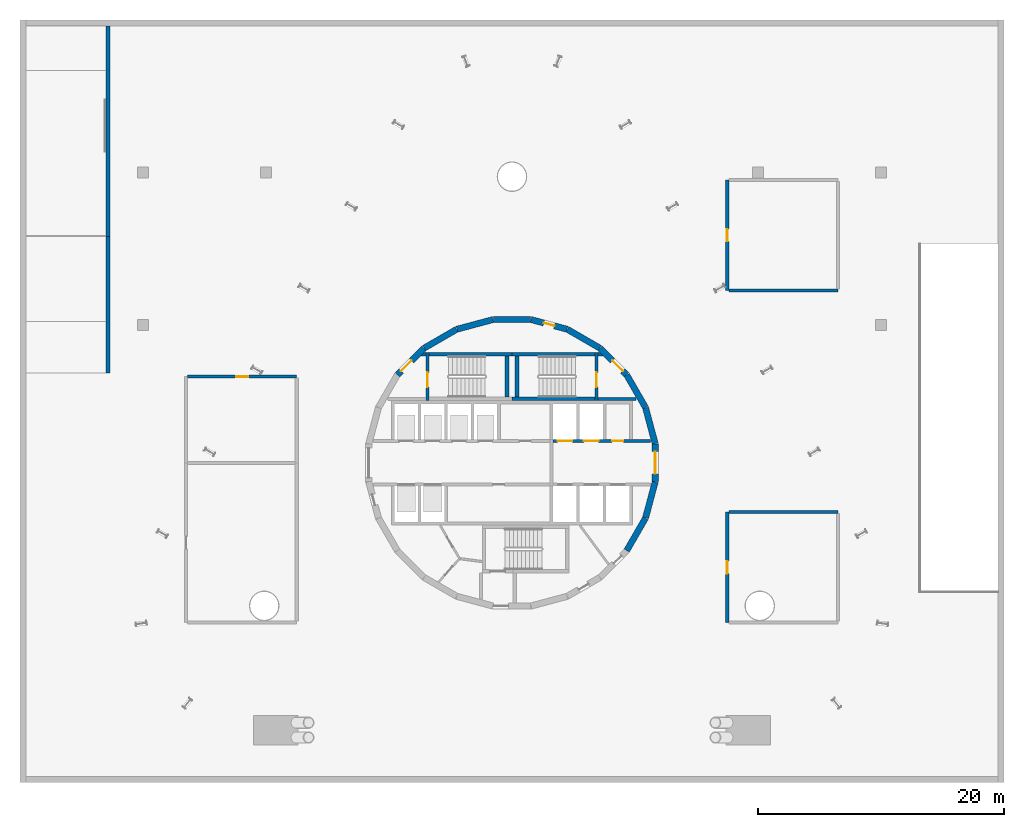
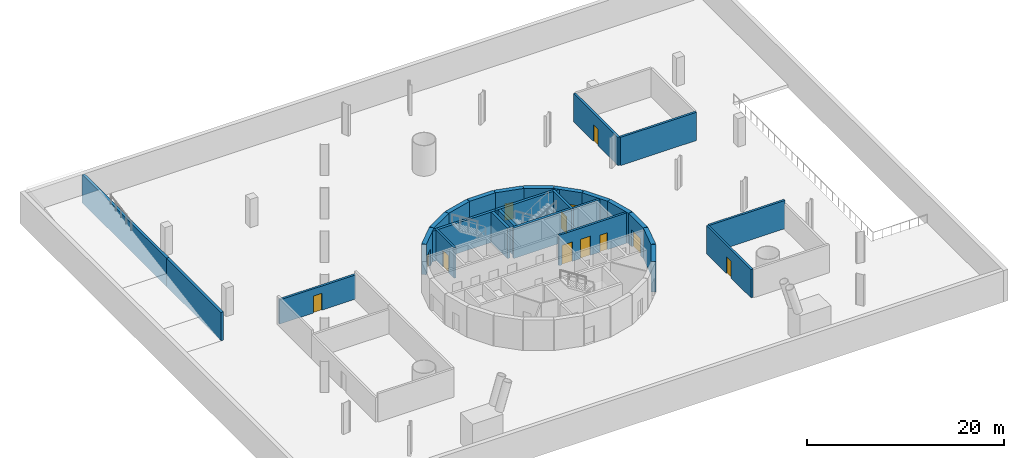
# One storey, part 7 of 10: 30 walls, 12 doors, 12 openings.
"""IFC4 building model written with IfcOpenShell, lengths in metres."""

from ifc_helpers import new_model, si_unit, direction, frame, frame_2d, origin, place, context, subcontext, project, spatial, polyline, rectangle, outline, extrude, material, layer, layer_set, type_object, element, fill, save


model = new_model("IFC4")

# Units and contexts
model_context = context("Model", 3, precision=1e-05, world=origin(), true_north=direction((0.0, 1.0)))
body_context = subcontext(model_context, "Body", "Model", "MODEL_VIEW")
ifc_project = project(units=[si_unit("LENGTHUNIT", "METRE"), si_unit("AREAUNIT", "SQUARE_METRE"), si_unit("VOLUMEUNIT", "CUBIC_METRE"), si_unit("PLANEANGLEUNIT", "RADIAN"), si_unit("MASSUNIT", "GRAM", prefix="KILO")], contexts=[model_context])

# Site, building, storey
site_placement = place(None, origin())
site = spatial("IfcSite", under=ifc_project, at=site_placement, CompositionType="ELEMENT")
building_placement = place(site_placement, origin())
building = spatial("IfcBuilding", under=site, at=building_placement, Name="Spindle Arch Residences", CompositionType="ELEMENT")
storey_placement = place(building_placement, frame((0.0, 0.0, -4.199951171875)))
storey = spatial("IfcBuildingStorey", under=building, at=storey_placement, Name="B1", CompositionType="ELEMENT", Elevation=-4.199951171875)

# Walls
ifc_material_1 = material(Name="Concrete C50/60", Category="concrete")
ifc_layer_1 = layer(ifc_material_1, 0.5)
ifc_layer_set_1 = layer_set([ifc_layer_1], Name="Core outline wall 500")
wall_type_1 = type_object("IfcWallType", Name="Core outline wall 500", PredefinedType="SHEAR", material=ifc_layer_set_1)
for number, where, z_axis, x_axis, name in (
    (1, (9.32861328125, -7.13671875, 0.0), (0.0, 0.0, 1.0), (0.500087131594, 0.865975092491, 0.0), "Core outline wall 4"),
    (2, (10.858154296875, -4.479248046875, 0.0), (0.0, 0.0, 1.0), (0.258734743916, 0.965948410781, 0.0), "Core outline wall 5"),
):
    element("IfcWall", number, at=place(storey_placement, frame(where, z_axis=z_axis, x_axis=x_axis)), inside=storey, type_object=wall_type_1, Name=name, PredefinedType="SHEAR", context=body_context, shape_type="SweptSolid", body=[
        extrude(rectangle(XDim=3.03271484375, YDim=0.5, at=frame_2d((1.516357421875, 0.0))), origin(), (0.0, 0.0, 1.0), 3.780029296875),
    ])

# Wall, opening, door
wall_1_placement = place(storey_placement, frame((11.647216796875, -1.516357421875, 0.0), z_axis=(0.0, 0.0, 1.0), x_axis=(0.0, 1.0, 0.0)))
wall_1 = element("IfcWall", 3, at=wall_1_placement, inside=storey, type_object=wall_type_1, Name="Core outline wall 6", PredefinedType="SHEAR", context=body_context, shape_type="SweptSolid", body=[
    extrude(rectangle(XDim=3.03271484375, YDim=0.5, at=frame_2d((1.516357421875, 0.0))), origin(), (0.0, 0.0, 1.0), 3.780029296875),
])
opening_1_placement = place(wall_1_placement, frame((0.6162109375, 0.0, 0.0)))
opening_1 = element("IfcOpeningElement", 4, at=opening_1_placement, cuts=wall_1, Name="Opening B1-FE01", PredefinedType="OPENING", context=body_context, shape_type="SweptSolid", body=[
    extrude(rectangle(XDim=1.800048828125, YDim=2.10009765625, at=frame_2d((0.89990234375, 1.050048828125))), frame((0.0, 0.260009765625, 0.0), z_axis=(0.0, -1.0, 0.0), x_axis=(1.0, 0.0, 0.0)), (0.0, 0.0, 1.0), 0.52001953125),
])
ifc_material_2 = material(Name="Steel, fire-resisting door", Category="steel")
door_type_1 = type_object("IfcDoorType", Name="Fire-lift lobby door 1800x2100", OperationType="DOUBLE_DOOR_SINGLE_SWING", PredefinedType="DOOR", material=ifc_material_2)
door_1_placement = place(opening_1_placement, origin())
door_1 = element("IfcDoor", 5, at=door_1_placement, inside=storey, type_object=door_type_1, Name="Fire-lift lobby door B1-FE01", OperationType="DOUBLE_DOOR_SINGLE_SWING", OverallHeight=2.10009765625, OverallWidth=1.800048828125, PredefinedType="DOOR", context=body_context, shape_type="SweptSolid", body=[
    extrude(rectangle(XDim=1.800048828125, YDim=2.10009765625, at=frame_2d((0.89990234375, 1.050048828125))), frame((0.0, 0.02490234375, 0.0), z_axis=(0.0, -1.0, 0.0), x_axis=(1.0, 0.0, 0.0)), (0.0, 0.0, 1.0), 0.050048828125),
])
fill(opening_1, door_1)

# Walls
for number, where, z_axis, x_axis, name in (
    (6, (11.642822265625, 1.5498046875, 0.0), (0.0, 0.0, 1.0), (-0.258734743916, 0.965948410781, 0.0), "Core outline wall 7"),
    (7, (10.84521484375, 4.510498046875, 0.0), (0.0, 0.0, 1.0), (-0.500087131594, 0.865975092491, 0.0), "Core outline wall 8"),
):
    element("IfcWall", number, at=place(storey_placement, frame(where, z_axis=z_axis, x_axis=x_axis)), inside=storey, type_object=wall_type_1, Name=name, PredefinedType="SHEAR", context=body_context, shape_type="SweptSolid", body=[
        extrude(rectangle(XDim=3.03271484375, YDim=0.5, at=frame_2d((1.516357421875, 0.0))), origin(), (0.0, 0.0, 1.0), 3.780029296875),
    ])

# Wall, opening, door
wall_2_placement = place(storey_placement, frame((9.30810546875, 7.163818359375, 0.0), z_axis=(0.0, 0.0, 1.0), x_axis=(-0.707106781187, 0.707106781187, 0.0)))
wall_2 = element("IfcWall", 8, at=wall_2_placement, inside=storey, type_object=wall_type_1, Name="Core outline wall 9", PredefinedType="SHEAR", context=body_context, shape_type="SweptSolid", body=[
    extrude(rectangle(XDim=3.032470703125, YDim=0.5, at=frame_2d((1.51611328125, 0.0))), origin(), (0.0, 0.0, 1.0), 3.780029296875),
])
opening_2_placement = place(wall_2_placement, frame((0.416259765625, 0.0, 0.0)))
opening_2 = element("IfcOpeningElement", 9, at=opening_2_placement, cuts=wall_2, Name="Opening B1-AD01", PredefinedType="OPENING", context=body_context, shape_type="SweptSolid", body=[
    extrude(rectangle(XDim=1.199951171875, YDim=2.10009765625, at=frame_2d((0.60009765625, 1.050048828125))), frame((0.0, 0.260009765625, 0.0), z_axis=(0.0, -1.0, 0.0), x_axis=(1.0, 0.0, 0.0)), (0.0, 0.0, 1.0), 0.52001953125),
])
ifc_material_3 = material(Name="Steel, fire-resisting door", Category="steel")
door_type_2 = type_object("IfcDoorType", Name="Stair airlock door 1200x2100", OperationType="SINGLE_SWING_LEFT", PredefinedType="DOOR", material=ifc_material_3)
door_2_placement = place(opening_2_placement, origin())
door_2 = element("IfcDoor", 10, at=door_2_placement, inside=storey, type_object=door_type_2, Name="Stair airlock door B1-AD01", OperationType="SINGLE_SWING_RIGHT", OverallHeight=2.10009765625, OverallWidth=1.199951171875, PredefinedType="DOOR", context=body_context, shape_type="SweptSolid", body=[
    extrude(rectangle(XDim=1.199951171875, YDim=2.10009765625, at=frame_2d((0.60009765625, 1.050048828125))), frame((0.0, 0.02490234375, 0.0), z_axis=(0.0, -1.0, 0.0), x_axis=(1.0, 0.0, 0.0)), (0.0, 0.0, 1.0), 0.050048828125),
])
fill(opening_2, door_2)

# Wall
wall_3_placement = place(storey_placement, frame((7.13671875, 9.32861328125, 0.0), z_axis=(0.0, 0.0, 1.0), x_axis=(-0.865975092491, 0.500087131594, 0.0)))
element("IfcWall", 11, at=wall_3_placement, inside=storey, type_object=wall_type_1, Name="Core outline wall 10", PredefinedType="SHEAR", context=body_context, shape_type="SweptSolid", body=[
    extrude(rectangle(XDim=3.03271484375, YDim=0.5, at=frame_2d((1.516357421875, 0.0))), origin(), (0.0, 0.0, 1.0), 3.780029296875),
])

# Wall, opening, door
wall_4_placement = place(storey_placement, frame((4.479248046875, 10.858154296875, 0.0), z_axis=(0.0, 0.0, 1.0), x_axis=(-0.965948410781, 0.258734743916, 0.0)))
wall_4 = element("IfcWall", 12, at=wall_4_placement, inside=storey, type_object=wall_type_1, Name="Core outline wall 11", PredefinedType="SHEAR", context=body_context, shape_type="SweptSolid", body=[
    extrude(rectangle(XDim=3.03271484375, YDim=0.5, at=frame_2d((1.516357421875, 0.0))), origin(), (0.0, 0.0, 1.0), 3.780029296875),
])
opening_3_placement = place(wall_4_placement, frame((1.066162109375, 0.0, 0.0)))
opening_3 = element("IfcOpeningElement", 13, at=opening_3_placement, cuts=wall_4, Name="Opening B1-WD09", PredefinedType="OPENING", context=body_context, shape_type="SweptSolid", body=[
    extrude(rectangle(XDim=0.89990234375, YDim=2.10009765625, at=frame_2d((0.449951171875, 1.050048828125))), frame((0.0, 0.260009765625, 0.0), z_axis=(0.0, -1.0, 0.0), x_axis=(1.0, 0.0, 0.0)), (0.0, 0.0, 1.0), 0.52001953125),
])
ifc_material_4 = material(Name="Steel, fire-resisting door", Category="steel")
door_type_3 = type_object("IfcDoorType", Name="Service room door 900x2100", OperationType="SINGLE_SWING_LEFT", PredefinedType="DOOR", material=ifc_material_4)
door_3_placement = place(opening_3_placement, origin())
door_3 = element("IfcDoor", 14, at=door_3_placement, inside=storey, type_object=door_type_3, Name="Service room door B1-WD09", OperationType="SINGLE_SWING_RIGHT", OverallHeight=2.10009765625, OverallWidth=0.89990234375, PredefinedType="DOOR", context=body_context, shape_type="SweptSolid", body=[
    extrude(rectangle(XDim=0.89990234375, YDim=2.10009765625, at=frame_2d((0.449951171875, 1.050048828125))), frame((0.0, 0.02490234375, 0.0), z_axis=(0.0, -1.0, 0.0), x_axis=(1.0, 0.0, 0.0)), (0.0, 0.0, 1.0), 0.050048828125),
])
fill(opening_3, door_3)

# Walls
for number, where, z_axis, x_axis, name in (
    (15, (1.516357421875, 11.647216796875, 0.0), (0.0, 0.0, 1.0), (-1.0, 0.0, 0.0), "Core outline wall 12"),
    (16, (-1.5498046875, 11.642822265625, 0.0), (0.0, 0.0, 1.0), (-0.965948410781, -0.258734743916, 0.0), "Core outline wall 13"),
    (17, (-4.510498046875, 10.84521484375, 0.0), (0.0, 0.0, 1.0), (-0.865975092491, -0.500087131594, 0.0), "Core outline wall 14"),
):
    element("IfcWall", number, at=place(storey_placement, frame(where, z_axis=z_axis, x_axis=x_axis)), inside=storey, type_object=wall_type_1, Name=name, PredefinedType="SHEAR", context=body_context, shape_type="SweptSolid", body=[
        extrude(rectangle(XDim=3.03271484375, YDim=0.5, at=frame_2d((1.516357421875, 0.0))), origin(), (0.0, 0.0, 1.0), 3.780029296875),
    ])

# Wall, opening, door
wall_5_placement = place(storey_placement, frame((-7.163818359375, 9.30810546875, 0.0), z_axis=(0.0, 0.0, 1.0), x_axis=(-0.707106781187, -0.707106781187, 0.0)))
wall_5 = element("IfcWall", 18, at=wall_5_placement, inside=storey, type_object=wall_type_1, Name="Core outline wall 15", PredefinedType="SHEAR", context=body_context, shape_type="SweptSolid", body=[
    extrude(rectangle(XDim=3.032470703125, YDim=0.5, at=frame_2d((1.51611328125, 0.0))), origin(), (0.0, 0.0, 1.0), 3.780029296875),
])
opening_4_placement = place(wall_5_placement, frame((1.416259765625, 0.0, 0.0)))
opening_4 = element("IfcOpeningElement", 19, at=opening_4_placement, cuts=wall_5, Name="Opening B1-AD02", PredefinedType="OPENING", context=body_context, shape_type="SweptSolid", body=[
    extrude(rectangle(XDim=1.199951171875, YDim=2.10009765625, at=frame_2d((0.60009765625, 1.050048828125))), frame((0.0, 0.260009765625, 0.0), z_axis=(0.0, -1.0, 0.0), x_axis=(1.0, 0.0, 0.0)), (0.0, 0.0, 1.0), 0.52001953125),
])
door_4_placement = place(opening_4_placement, origin())
door_4 = element("IfcDoor", 20, at=door_4_placement, inside=storey, type_object=door_type_2, Name="Stair airlock door B1-AD02", OperationType="SINGLE_SWING_RIGHT", OverallHeight=2.10009765625, OverallWidth=1.199951171875, PredefinedType="DOOR", context=body_context, shape_type="SweptSolid", body=[
    extrude(rectangle(XDim=1.199951171875, YDim=2.10009765625, at=frame_2d((0.60009765625, 1.050048828125))), frame((0.0, 0.02490234375, 0.0), z_axis=(0.0, -1.0, 0.0), x_axis=(1.0, 0.0, 0.0)), (0.0, 0.0, 1.0), 0.050048828125),
])
fill(opening_4, door_4)

# Wall, openings, doors
ifc_material_5 = material(Name="Concrete C40/50", Category="concrete")
ifc_layer_2 = layer(ifc_material_5, 0.25)
ifc_layer_set_2 = layer_set([ifc_layer_2], Name="Fire-lift lobby wall 250")
wall_type_2 = type_object("IfcWallType", Name="Fire-lift lobby wall 250", PredefinedType="SHEAR", material=ifc_layer_set_2)
wall_6_placement = place(storey_placement, frame((3.35009765625, 1.77490234375, 0.0), z_axis=(0.0, 0.0, 1.0), x_axis=(1.0, 0.0, 0.0)))
wall_6 = element("IfcWall", 21, at=wall_6_placement, inside=storey, type_object=wall_type_2, Name="Lift shaft front wall NE", PredefinedType="SHEAR", context=body_context, shape_type="SweptSolid", body=[
    extrude(rectangle(XDim=7.929931640625, YDim=0.25, at=frame_2d((3.96484375, 0.0))), origin(), (0.0, 0.0, 1.0), 3.780029296875),
])
opening_5_placement = place(wall_6_placement, frame((0.35009765625, 0.0, 0.0)))
opening_5 = element("IfcOpeningElement", 22, at=opening_5_placement, cuts=wall_6, Name="Opening B1-SLD01", PredefinedType="OPENING", context=body_context, shape_type="SweptSolid", body=[
    extrude(rectangle(XDim=1.199951171875, YDim=2.39990234375, at=frame_2d((0.60009765625, 1.199951171875))), frame((0.0, 0.135009765625, 0.0), z_axis=(0.0, -1.0, 0.0), x_axis=(1.0, 0.0, 0.0)), (0.0, 0.0, 1.0), 0.27001953125),
])
opening_6_placement = place(wall_6_placement, frame((2.5, 0.0, 0.0)))
opening_6 = element("IfcOpeningElement", 23, at=opening_6_placement, cuts=wall_6, Name="Opening B1-SLD02", PredefinedType="OPENING", context=body_context, shape_type="SweptSolid", body=[
    extrude(rectangle(XDim=1.199951171875, YDim=2.39990234375, at=frame_2d((0.60009765625, 1.199951171875))), frame((0.0, 0.135009765625, 0.0), z_axis=(0.0, -1.0, 0.0), x_axis=(1.0, 0.0, 0.0)), (0.0, 0.0, 1.0), 0.27001953125),
])
opening_7_placement = place(wall_6_placement, frame((4.800048828125, 0.0, 0.0)))
opening_7 = element("IfcOpeningElement", 24, at=opening_7_placement, cuts=wall_6, Name="Opening B1-WD02", PredefinedType="OPENING", context=body_context, shape_type="SweptSolid", body=[
    extrude(rectangle(XDim=0.89990234375, YDim=2.10009765625, at=frame_2d((0.449951171875, 1.050048828125))), frame((0.0, 0.135009765625, 0.0), z_axis=(0.0, -1.0, 0.0), x_axis=(1.0, 0.0, 0.0)), (0.0, 0.0, 1.0), 0.27001953125),
])
ifc_material_6 = material(Name="Steel, fire-resisting landing door", Category="steel")
door_type_4 = type_object("IfcDoorType", Name="Service lift landing door 1200x2400", OperationType="DOUBLE_DOOR_SLIDING", PredefinedType="DOOR", material=ifc_material_6)
door_5_placement = place(opening_5_placement, origin())
door_5 = element("IfcDoor", 25, at=door_5_placement, inside=storey, type_object=door_type_4, Name="Service lift landing door B1-SLD01", OperationType="DOUBLE_DOOR_SLIDING", OverallHeight=2.39990234375, OverallWidth=1.199951171875, PredefinedType="DOOR", context=body_context, shape_type="SweptSolid", body=[
    extrude(rectangle(XDim=1.199951171875, YDim=2.39990234375, at=frame_2d((0.60009765625, 1.199951171875))), frame((0.0, 0.02490234375, 0.0), z_axis=(0.0, -1.0, 0.0), x_axis=(1.0, 0.0, 0.0)), (0.0, 0.0, 1.0), 0.050048828125),
])
fill(opening_5, door_5)
door_6_placement = place(opening_6_placement, origin())
door_6 = element("IfcDoor", 26, at=door_6_placement, inside=storey, type_object=door_type_4, Name="Service lift landing door B1-SLD02", OperationType="DOUBLE_DOOR_SLIDING", OverallHeight=2.39990234375, OverallWidth=1.199951171875, PredefinedType="DOOR", context=body_context, shape_type="SweptSolid", body=[
    extrude(rectangle(XDim=1.199951171875, YDim=2.39990234375, at=frame_2d((0.60009765625, 1.199951171875))), frame((0.0, 0.02490234375, 0.0), z_axis=(0.0, -1.0, 0.0), x_axis=(1.0, 0.0, 0.0)), (0.0, 0.0, 1.0), 0.050048828125),
])
fill(opening_6, door_6)
door_7_placement = place(opening_7_placement, origin())
door_7 = element("IfcDoor", 27, at=door_7_placement, inside=storey, type_object=door_type_3, Name="Service room door B1-WD02", OperationType="SINGLE_SWING_LEFT", OverallHeight=2.10009765625, OverallWidth=0.89990234375, PredefinedType="DOOR", context=body_context, shape_type="SweptSolid", body=[
    extrude(rectangle(XDim=0.89990234375, YDim=2.10009765625, at=frame_2d((0.449951171875, 1.050048828125))), frame((0.0, 0.02490234375, 0.0), z_axis=(0.0, -1.0, 0.0), x_axis=(1.0, 0.0, 0.0)), (0.0, 0.0, 1.0), 0.050048828125),
])
fill(opening_7, door_7)

# Wall, opening, door
ifc_material_7 = material(Name="Concrete C25/30 wall", Category="concrete")
ifc_layer_3 = layer(ifc_material_7, 0.25)
ifc_layer_set_3 = layer_set([ifc_layer_3], Name="Partition EI 120 250 plant")
wall_type_3 = type_object("IfcWallType", Name="Partition EI 120 250 plant", PredefinedType="PARTITIONING", material=ifc_layer_set_3)
wall_7_placement = place(storey_placement, frame((17.5, 14.0, 0.0), z_axis=(0.0, 0.0, 1.0), x_axis=(0.0, 1.0, 0.0)))
wall_7 = element("IfcWall", 28, at=wall_7_placement, inside=storey, type_object=wall_type_3, Name="B1-W010", PredefinedType="PARTITIONING", context=body_context, shape_type="SweptSolid", body=[
    extrude(rectangle(XDim=9.0, YDim=0.25, at=frame_2d((4.5, 0.0))), origin(), (0.0, 0.0, 1.0), 3.5),
])
opening_8_placement = place(wall_7_placement, frame((4.0, 0.0, 0.0)))
opening_8 = element("IfcOpeningElement", 29, at=opening_8_placement, cuts=wall_7, Name="Opening B1-D04", PredefinedType="OPENING", context=body_context, shape_type="SweptSolid", body=[
    extrude(rectangle(XDim=1.0, YDim=2.10009765625, at=frame_2d((0.5, 1.050048828125))), frame((0.0, 0.135009765625, 0.0), z_axis=(0.0, -1.0, 0.0), x_axis=(1.0, 0.0, 0.0)), (0.0, 0.0, 1.0), 0.27001953125),
])
ifc_material_8 = material(Name="Steel door leaf, painted", Category="steel")
door_type_5 = type_object("IfcDoorType", Name="Door 1000x2100 EI 60", OperationType="SINGLE_SWING_LEFT", PredefinedType="DOOR", material=ifc_material_8)
door_8_placement = place(opening_8_placement, origin())
door_8 = element("IfcDoor", 30, at=door_8_placement, inside=storey, type_object=door_type_5, Name="B1-D04", OperationType="SINGLE_SWING_LEFT", OverallHeight=2.10009765625, OverallWidth=1.0, PredefinedType="DOOR", context=body_context, shape_type="SweptSolid", body=[
    extrude(rectangle(XDim=1.0, YDim=2.10009765625, at=frame_2d((0.5, 1.050048828125))), frame((0.0, 0.02490234375, 0.0), z_axis=(0.0, -1.0, 0.0), x_axis=(1.0, 0.0, 0.0)), (0.0, 0.0, 1.0), 0.050048828125),
])
fill(opening_8, door_8)

# Wall
wall_8_placement = place(storey_placement, frame((26.5, 14.0, 0.0), z_axis=(0.0, 0.0, 1.0), x_axis=(-1.0, 0.0, 0.0)))
element("IfcWall", 31, at=wall_8_placement, inside=storey, type_object=wall_type_3, Name="B1-W014", PredefinedType="PARTITIONING", context=body_context, shape_type="SweptSolid", body=[
    extrude(rectangle(XDim=8.875, YDim=0.25, at=frame_2d((4.4375, 0.0))), origin(), (0.0, 0.0, 1.0), 3.5),
])

# Wall, opening, door
ifc_material_9 = material(Name="Concrete C25/30 wall", Category="concrete")
ifc_layer_4 = layer(ifc_material_9, 0.25)
ifc_layer_set_4 = layer_set([ifc_layer_4], Name="Partition EI 120 250 store")
wall_type_4 = type_object("IfcWallType", Name="Partition EI 120 250 store", PredefinedType="PARTITIONING", material=ifc_layer_set_4)
wall_9_placement = place(storey_placement, frame((-26.375, 7.0, 0.0), z_axis=(0.0, 0.0, 1.0), x_axis=(1.0, 0.0, 0.0)))
wall_9 = element("IfcWall", 32, at=wall_9_placement, inside=storey, type_object=wall_type_4, Name="B1-W004", PredefinedType="PARTITIONING", context=body_context, shape_type="SweptSolid", body=[
    extrude(rectangle(XDim=8.875, YDim=0.25, at=frame_2d((4.4375, 0.0))), origin(), (0.0, 0.0, 1.0), 3.0),
])
opening_9_placement = place(wall_9_placement, frame((3.9375, 0.0, 0.0)))
opening_9 = element("IfcOpeningElement", 33, at=opening_9_placement, cuts=wall_9, Name="Opening B1-D03", PredefinedType="OPENING", context=body_context, shape_type="SweptSolid", body=[
    extrude(rectangle(XDim=1.0, YDim=2.10009765625, at=frame_2d((0.5, 1.050048828125))), frame((0.0, 0.135009765625, 0.0), z_axis=(0.0, -1.0, 0.0), x_axis=(1.0, 0.0, 0.0)), (0.0, 0.0, 1.0), 0.27001953125),
])
door_9_placement = place(opening_9_placement, origin())
door_9 = element("IfcDoor", 34, at=door_9_placement, inside=storey, type_object=door_type_5, Name="B1-D03", OperationType="SINGLE_SWING_LEFT", OverallHeight=2.10009765625, OverallWidth=1.0, PredefinedType="DOOR", context=body_context, shape_type="SweptSolid", body=[
    extrude(rectangle(XDim=1.0, YDim=2.10009765625, at=frame_2d((0.5, 1.050048828125))), frame((0.0, 0.02490234375, 0.0), z_axis=(0.0, -1.0, 0.0), x_axis=(1.0, 0.0, 0.0)), (0.0, 0.0, 1.0), 0.050048828125),
])
fill(opening_9, door_9)

wall_10_placement = place(storey_placement, frame((17.5, -13.0, 0.0), z_axis=(0.0, 0.0, 1.0), x_axis=(0.0, 1.0, 0.0)))
wall_10 = element("IfcWall", 35, at=wall_10_placement, inside=storey, type_object=wall_type_4, Name="B1-W008", PredefinedType="PARTITIONING", context=body_context, shape_type="SweptSolid", body=[
    extrude(rectangle(XDim=9.0, YDim=0.25, at=frame_2d((4.5, 0.0))), origin(), (0.0, 0.0, 1.0), 3.5),
])
opening_10_placement = place(wall_10_placement, frame((4.0, 0.0, 0.0)))
opening_10 = element("IfcOpeningElement", 36, at=opening_10_placement, cuts=wall_10, Name="Opening B1-D01", PredefinedType="OPENING", context=body_context, shape_type="SweptSolid", body=[
    extrude(rectangle(XDim=1.0, YDim=2.10009765625, at=frame_2d((0.5, 1.050048828125))), frame((0.0, 0.135009765625, 0.0), z_axis=(0.0, -1.0, 0.0), x_axis=(1.0, 0.0, 0.0)), (0.0, 0.0, 1.0), 0.27001953125),
])
door_10_placement = place(opening_10_placement, origin())
door_10 = element("IfcDoor", 37, at=door_10_placement, inside=storey, type_object=door_type_5, Name="B1-D01", OperationType="SINGLE_SWING_LEFT", OverallHeight=2.10009765625, OverallWidth=1.0, PredefinedType="DOOR", context=body_context, shape_type="SweptSolid", body=[
    extrude(rectangle(XDim=1.0, YDim=2.10009765625, at=frame_2d((0.5, 1.050048828125))), frame((0.0, 0.02490234375, 0.0), z_axis=(0.0, -1.0, 0.0), x_axis=(1.0, 0.0, 0.0)), (0.0, 0.0, 1.0), 0.050048828125),
])
fill(opening_10, door_10)

# Walls
wall_11_placement = place(storey_placement, frame((17.625, -4.0, 0.0), z_axis=(0.0, 0.0, 1.0), x_axis=(1.0, 0.0, 0.0)))
element("IfcWall", 38, at=wall_11_placement, inside=storey, type_object=wall_type_4, Name="B1-W009", PredefinedType="PARTITIONING", context=body_context, shape_type="SweptSolid", body=[
    extrude(rectangle(XDim=8.875, YDim=0.25, at=frame_2d((4.4375, 0.0))), origin(), (0.0, 0.0, 1.0), 3.5),
])
ifc_material_10 = material(Name="Concrete C32/40", Category="concrete")
ifc_layer_5 = layer(ifc_material_10, 0.300048828125)
ifc_layer_set_5 = layer_set([ifc_layer_5], Name="Ramp retaining wall 300")
wall_type_5 = type_object("IfcWallType", Name="Ramp retaining wall 300", PredefinedType="SOLIDWALL", material=ifc_layer_set_5)
wall_12_placement = place(storey_placement, frame((-32.85009765625, 7.300048828125, 0.0), z_axis=(0.0, 0.0, 1.0), x_axis=(0.0, 1.0, 0.0)))
element("IfcWall", 39, at=wall_12_placement, inside=storey, type_object=wall_type_5, Name="Ramp W1 retaining wall 1", PredefinedType="SOLIDWALL", context=body_context, shape_type="SweptSolid", body=[
    extrude(rectangle(XDim=11.099853515625, YDim=0.300048828125, at=frame_2d((5.5498046875, 0.0))), origin(), (0.0, 0.0, 1.0), 3.5),
])
wall_13_placement = place(storey_placement, frame((-32.85009765625, 18.39990234375, 0.0), z_axis=(0.0, 0.0, 1.0), x_axis=(0.0, 1.0, 0.0)))
element("IfcWall", 40, at=wall_13_placement, inside=storey, type_object=wall_type_5, Name="Ramp W1 retaining wall 2", PredefinedType="SOLIDWALL", context=body_context, shape_type="SweptSolid", body=[
    extrude(rectangle(XDim=17.10009765625, YDim=0.300048828125, at=frame_2d((8.550048828125, 0.0))), origin(), (0.0, 0.0, 1.0), 3.5),
])
ifc_material_11 = material(Name="Concrete C40/50", Category="concrete")
ifc_layer_6 = layer(ifc_material_11, 0.25)
ifc_layer_set_6 = layer_set([ifc_layer_6], Name="Stair airlock wall 250")
wall_type_6 = type_object("IfcWallType", Name="Stair airlock wall 250", PredefinedType="SHEAR", material=ifc_layer_set_6)
wall_14_placement = place(storey_placement, frame((7.0, 5.175048828125, 0.0), z_axis=(0.0, 0.0, 1.0), x_axis=(1.0, 0.0, 0.0)))
element("IfcWall", 41, at=wall_14_placement, inside=storey, type_object=wall_type_6, Name="Stair ST-1 airlock wall S", PredefinedType="SHEAR", context=body_context, shape_type="SweptSolid", body=[
    extrude(rectangle(XDim=3.10009765625, YDim=0.25, at=frame_2d((1.550048828125, 0.0))), origin(), (0.0, 0.0, 1.0), 3.780029296875),
])
ifc_material_12 = material(Name="Concrete C40/50", Category="concrete")
wall_type_7 = type_object("IfcWallType", Name="Stair airlock wall profile", PredefinedType="SHEAR", material=ifc_material_12)
wall_15_placement = place(storey_placement, origin())
element("IfcWall", 42, at=wall_15_placement, inside=storey, type_object=wall_type_7, Name="Stair ST-1 airlock wall N", PredefinedType="SHEAR", context=body_context, shape_type="SweptSolid", body=[
    extrude(outline(polyline([(7.4482421875, 8.669921875), (7.0, 8.669921875), (7.0, 8.969970703125), (7.148193359375, 8.969970703125), (7.4482421875, 8.669921875)])), origin(), (0.0, 0.0, 1.0), 3.780029296875),
])
wall_16_placement = place(storey_placement, origin())
element("IfcWall", 43, at=wall_16_placement, inside=storey, type_object=wall_type_7, Name="Stair ST-2 airlock wall N", PredefinedType="SHEAR", context=body_context, shape_type="SweptSolid", body=[
    extrude(outline(polyline([(-7.148193359375, 8.969970703125), (-7.0, 8.969970703125), (-7.0, 8.669921875), (-7.4482421875, 8.669921875), (-7.148193359375, 8.969970703125)])), origin(), (0.0, 0.0, 1.0), 3.780029296875),
])

# Wall, opening, door
ifc_material_13 = material(Name="Concrete C50/60", Category="concrete")
ifc_layer_7 = layer(ifc_material_13, 0.25)
ifc_layer_set_7 = layer_set([ifc_layer_7], Name="Stair enclosure wall 250")
wall_type_8 = type_object("IfcWallType", Name="Stair enclosure wall 250", PredefinedType="SHEAR", material=ifc_layer_set_7)
wall_17_placement = place(storey_placement, frame((6.875, 5.050048828125, 0.0), z_axis=(0.0, 0.0, 1.0), x_axis=(0.0, 1.0, 0.0)))
wall_17 = element("IfcWall", 44, at=wall_17_placement, inside=storey, type_object=wall_type_8, Name="Stair ST-1 door wall", PredefinedType="SHEAR", context=body_context, shape_type="SweptSolid", body=[
    extrude(rectangle(XDim=3.919921875, YDim=0.25, at=frame_2d((1.9599609375, 0.0))), origin(), (0.0, 0.0, 1.0), 3.780029296875),
])
opening_11_placement = place(wall_17_placement, frame((1.110107421875, 0.0, 0.0)))
opening_11 = element("IfcOpeningElement", 45, at=opening_11_placement, cuts=wall_17, Name="Opening B1-SD01", PredefinedType="OPENING", context=body_context, shape_type="SweptSolid", body=[
    extrude(rectangle(XDim=1.199951171875, YDim=2.10009765625, at=frame_2d((0.60009765625, 1.050048828125))), frame((0.0, 0.135009765625, 0.0), z_axis=(0.0, -1.0, 0.0), x_axis=(1.0, 0.0, 0.0)), (0.0, 0.0, 1.0), 0.27001953125),
])
ifc_material_14 = material(Name="Steel, fire-resisting door", Category="steel")
door_type_6 = type_object("IfcDoorType", Name="Stair door 1200x2100", OperationType="SINGLE_SWING_RIGHT", PredefinedType="DOOR", material=ifc_material_14)
door_11_placement = place(opening_11_placement, origin())
door_11 = element("IfcDoor", 46, at=door_11_placement, inside=storey, type_object=door_type_6, Name="Stair door B1-SD01", OperationType="SINGLE_SWING_LEFT", OverallHeight=2.10009765625, OverallWidth=1.199951171875, PredefinedType="DOOR", context=body_context, shape_type="SweptSolid", body=[
    extrude(rectangle(XDim=1.199951171875, YDim=2.10009765625, at=frame_2d((0.60009765625, 1.050048828125))), frame((0.0, 0.02490234375, 0.0), z_axis=(0.0, -1.0, 0.0), x_axis=(1.0, 0.0, 0.0)), (0.0, 0.0, 1.0), 0.050048828125),
])
fill(opening_11, door_11)

wall_18_placement = place(storey_placement, frame((-6.875, 8.969970703125, 0.0), z_axis=(0.0, 0.0, 1.0), x_axis=(0.0, -1.0, 0.0)))
wall_18 = element("IfcWall", 47, at=wall_18_placement, inside=storey, type_object=wall_type_8, Name="Stair ST-2 door wall", PredefinedType="SHEAR", context=body_context, shape_type="SweptSolid", body=[
    extrude(rectangle(XDim=3.919921875, YDim=0.25, at=frame_2d((1.9599609375, 0.0))), origin(), (0.0, 0.0, 1.0), 3.780029296875),
])
opening_12_placement = place(wall_18_placement, frame((1.610107421875, 0.0, 0.0)))
opening_12 = element("IfcOpeningElement", 48, at=opening_12_placement, cuts=wall_18, Name="Opening B1-SD02", PredefinedType="OPENING", context=body_context, shape_type="SweptSolid", body=[
    extrude(rectangle(XDim=1.199951171875, YDim=2.10009765625, at=frame_2d((0.60009765625, 1.050048828125))), frame((0.0, 0.135009765625, 0.0), z_axis=(0.0, -1.0, 0.0), x_axis=(1.0, 0.0, 0.0)), (0.0, 0.0, 1.0), 0.27001953125),
])
door_12_placement = place(opening_12_placement, origin())
door_12 = element("IfcDoor", 49, at=door_12_placement, inside=storey, type_object=door_type_6, Name="Stair door B1-SD02", OperationType="SINGLE_SWING_LEFT", OverallHeight=2.10009765625, OverallWidth=1.199951171875, PredefinedType="DOOR", context=body_context, shape_type="SweptSolid", body=[
    extrude(rectangle(XDim=1.199951171875, YDim=2.10009765625, at=frame_2d((0.60009765625, 1.050048828125))), frame((0.0, 0.02490234375, 0.0), z_axis=(0.0, -1.0, 0.0), x_axis=(1.0, 0.0, 0.0)), (0.0, 0.0, 1.0), 0.050048828125),
])
fill(opening_12, door_12)

# Walls
ifc_material_15 = material(Name="Concrete C50/60", Category="concrete")
ifc_layer_8 = layer(ifc_material_15, 0.300048828125)
ifc_layer_set_8 = layer_set([ifc_layer_8], Name="Stair enclosure wall 300")
wall_type_9 = type_object("IfcWallType", Name="Stair enclosure wall 300", PredefinedType="SHEAR", material=ifc_layer_set_8)
for number, where, z_axis, x_axis, name in (
    (50, (0.0, 5.199951171875, 0.0), (0.0, 0.0, 1.0), (1.0, 0.0, 0.0), "Stair ST-1 enclosure wall S"),
    (51, (0.0, 8.820068359375, 0.0), (0.0, 0.0, 1.0), (1.0, 0.0, 0.0), "Stair ST-1 enclosure wall N"),
):
    element("IfcWall", number, at=place(storey_placement, frame(where, z_axis=z_axis, x_axis=x_axis)), inside=storey, type_object=wall_type_9, Name=name, PredefinedType="SHEAR", context=body_context, shape_type="SweptSolid", body=[
        extrude(rectangle(XDim=6.75, YDim=0.300048828125, at=frame_2d((3.375, 0.0))), origin(), (0.0, 0.0, 1.0), 3.780029296875),
    ])
wall_19_placement = place(storey_placement, frame((0.39990234375, 5.35009765625, 0.0), z_axis=(0.0, 0.0, 1.0), x_axis=(0.0, 1.0, 0.0)))
element("IfcWall", 52, at=wall_19_placement, inside=storey, type_object=wall_type_9, Name="Stair ST-1 enclosure wall F", PredefinedType="SHEAR", context=body_context, shape_type="SweptSolid", body=[
    extrude(rectangle(XDim=3.31982421875, YDim=0.300048828125, at=frame_2d((1.659912109375, 0.0))), origin(), (0.0, 0.0, 1.0), 3.780029296875),
])
wall_20_placement = place(storey_placement, frame((-6.75, 8.820068359375, 0.0), z_axis=(0.0, 0.0, 1.0), x_axis=(1.0, 0.0, 0.0)))
element("IfcWall", 53, at=wall_20_placement, inside=storey, type_object=wall_type_9, Name="Stair ST-2 enclosure wall N", PredefinedType="SHEAR", context=body_context, shape_type="SweptSolid", body=[
    extrude(rectangle(XDim=6.75, YDim=0.300048828125, at=frame_2d((3.375, 0.0))), origin(), (0.0, 0.0, 1.0), 3.780029296875),
])
wall_21_placement = place(storey_placement, frame((-0.39990234375, 5.35009765625, 0.0), z_axis=(0.0, 0.0, 1.0), x_axis=(0.0, 1.0, 0.0)))
element("IfcWall", 54, at=wall_21_placement, inside=storey, type_object=wall_type_9, Name="Stair ST-2 enclosure wall F", PredefinedType="SHEAR", context=body_context, shape_type="SweptSolid", body=[
    extrude(rectangle(XDim=3.31982421875, YDim=0.300048828125, at=frame_2d((1.659912109375, 0.0))), origin(), (0.0, 0.0, 1.0), 3.780029296875),
])

save(model, "model.ifc")
